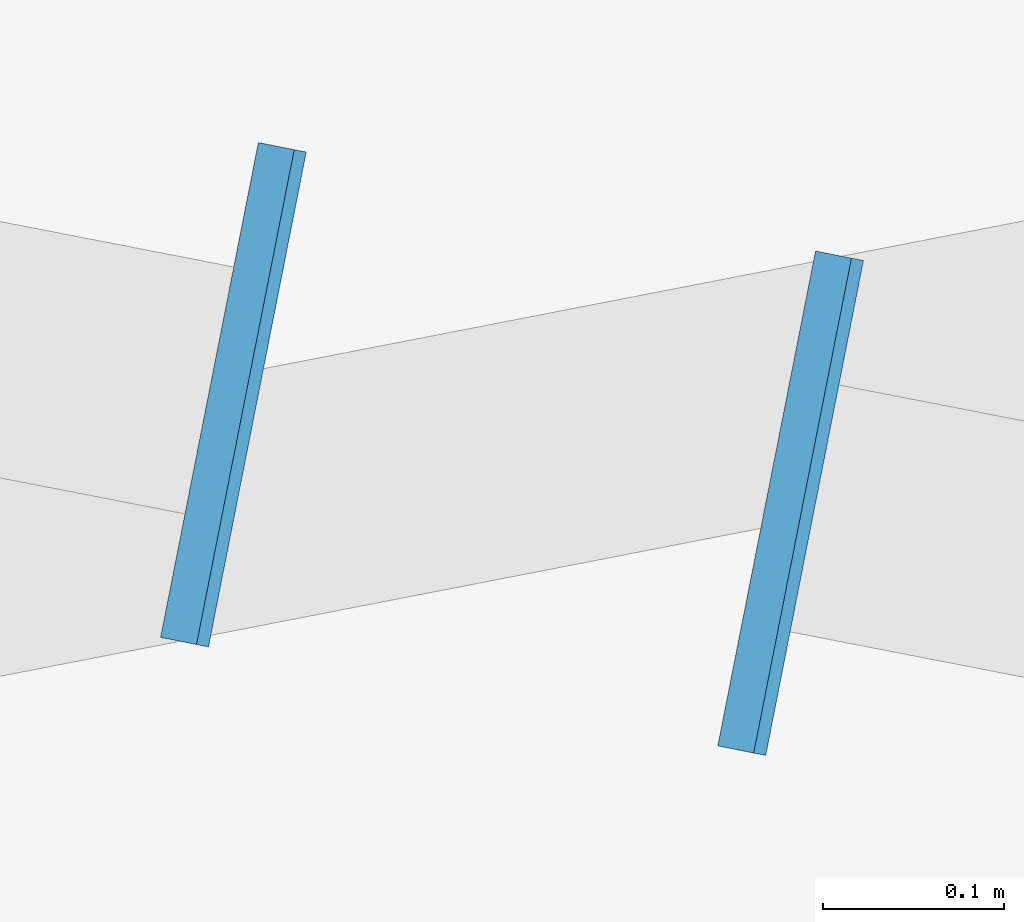
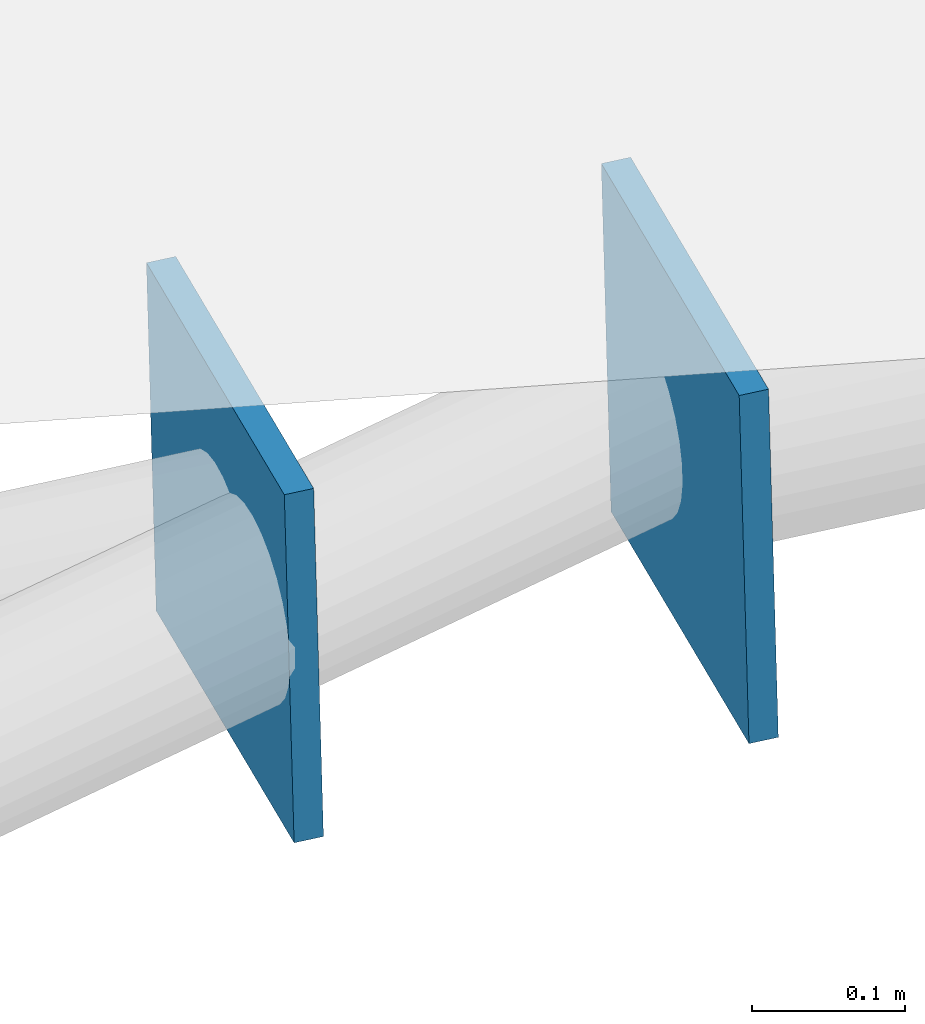
# One storey, part 36 of 41: 2 discrete accessories.
"""IFC4 building model written with IfcOpenShell, lengths in metres."""

from ifc_helpers import new_model, si_unit, direction, frame, origin, origin_2d, place, context, subcontext, project, spatial, rectangle, extrude, material, layer, layer_set, type_object, element, save


model = new_model("IFC4")

# Units and contexts
model_context = context("Model", 3, precision=1e-05, world=origin(), true_north=direction((0.0, 1.0)))
body_context = subcontext(model_context, "Body", "Model", "MODEL_VIEW")
ifc_project = project(units=[si_unit("LENGTHUNIT", "METRE"), si_unit("AREAUNIT", "SQUARE_METRE"), si_unit("VOLUMEUNIT", "CUBIC_METRE"), si_unit("PLANEANGLEUNIT", "RADIAN"), si_unit("MASSUNIT", "GRAM", prefix="KILO")], contexts=[model_context])

# Site, building, storey
site_placement = place(None, origin())
site = spatial("IfcSite", under=ifc_project, at=site_placement, CompositionType="ELEMENT")
building_placement = place(site_placement, origin())
building = spatial("IfcBuilding", under=site, at=building_placement, Name="Okhra Congress Centre", CompositionType="ELEMENT")
storey_placement = place(building_placement, frame((0.0, 0.0, 21.60009765625)))
storey = spatial("IfcBuildingStorey", under=building, at=storey_placement, Name="ROOF", CompositionType="ELEMENT", Elevation=21.60009765625)

# Discrete accessories
ifc_material = material(Name="Steel S355J2", Category="steel")
ifc_layer = layer(ifc_material, 0.02001953125)
ifc_layer_set = layer_set([ifc_layer], Name="Brace end connection plate 20 mm S355")
discrete_accessory_type = type_object("IfcDiscreteAccessoryType", Name="Brace end connection plate 20 mm S355", PredefinedType="BRACKET", material=ifc_layer_set)
for number, where, z_axis, x_axis, name in (
    (1, (37.1640625, 186.218017578125, 0.423583984375), (-0.980756046085, 0.19372958935, -0.024216198669), (-0.193786418213, -0.981043742203, 0.0), "Brace end connection plate"),
    (2, (36.8359375, 186.281982421875, 0.41552734375), (0.980756046085, -0.19372958935, 0.024216198669), (0.193786418213, 0.981043742203, 0.0), "Brace end connection plate"),
):
    element("IfcDiscreteAccessory", number, at=place(storey_placement, frame(where, z_axis=z_axis, x_axis=x_axis)), inside=storey, type_object=discrete_accessory_type, Name=name, PredefinedType="BRACKET", context=body_context, shape_type="SweptSolid", body=[
        extrude(rectangle(XDim=0.279052734375, YDim=0.279052734375, at=origin_2d()), origin(), (0.0, 0.0, 1.0), 0.020263671875),
    ])

save(model, "model.ifc")
